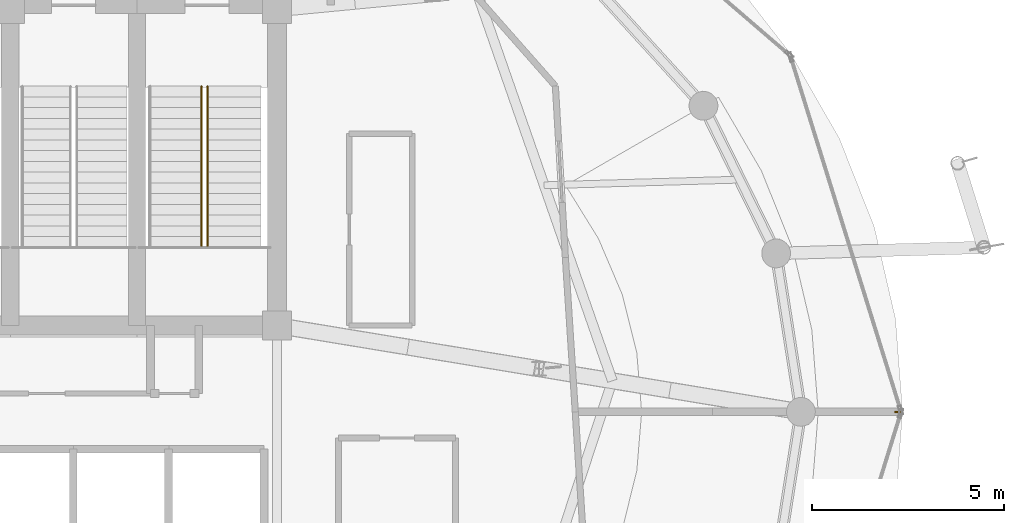
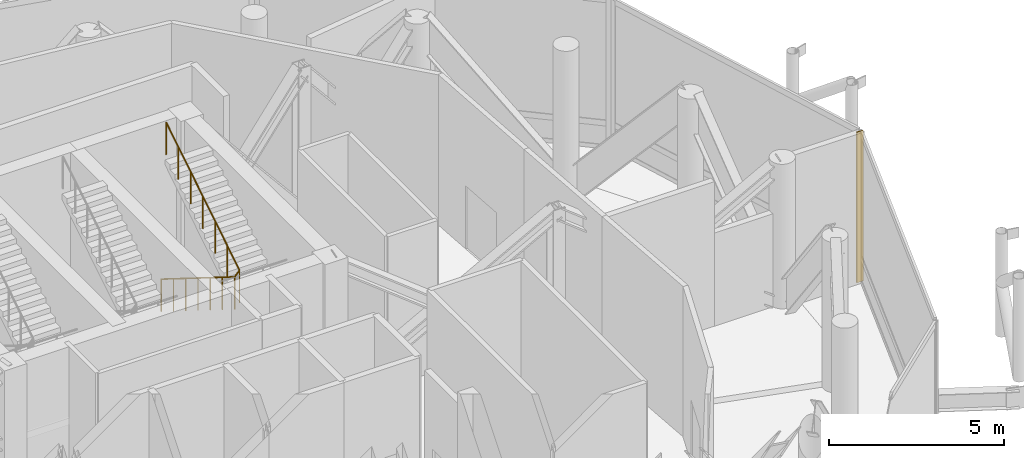
# One storey, part 26 of 26: 1 railing, 1 shading device.
"""IFC4 building model written with IfcOpenShell, lengths in metres."""

from ifc_helpers import new_model, si_unit, direction, frame, origin, origin_2d, place, context, subcontext, project, spatial, polyline, rectangle, outline, extrude, material, layer, layer_set, type_object, element, save


model = new_model("IFC4")

# Units and contexts
model_context = context("Model", 3, precision=1e-05, world=origin(), true_north=direction((0.0, 1.0)))
body_context = subcontext(model_context, "Body", "Model", "MODEL_VIEW")
ifc_project = project(units=[si_unit("LENGTHUNIT", "METRE"), si_unit("AREAUNIT", "SQUARE_METRE"), si_unit("VOLUMEUNIT", "CUBIC_METRE"), si_unit("PLANEANGLEUNIT", "RADIAN"), si_unit("MASSUNIT", "GRAM", prefix="KILO")], contexts=[model_context])

# Site, building, storey
site_placement = place(None, origin())
site = spatial("IfcSite", under=ifc_project, at=site_placement, CompositionType="ELEMENT")
building_placement = place(site_placement, origin())
building = spatial("IfcBuilding", under=site, at=building_placement, Name="Nuhasar Tower", CompositionType="ELEMENT")
storey_placement = place(building_placement, frame((0.0, 0.0, 301.199951171875)))
storey = spatial("IfcBuildingStorey", under=building, at=storey_placement, Name="L75", CompositionType="ELEMENT", Elevation=301.199951171875)

# Railing
ifc_material_1 = material(Name="Steel S355", Category="steel")
railing_type = type_object("IfcRailingType", Name="RLG-STAIR-GUARD-1150", PredefinedType="GUARDRAIL", material=ifc_material_1)
railing_placement = place(storey_placement, frame((42.330078125, 35.284912109375, 0.175048828125)))
element("IfcRailing", 1, at=railing_placement, inside=storey, type_object=railing_type, Name="L75 Stair ST-02 Guardrail SLT", PredefinedType="GUARDRAIL", context=body_context, shape_type="SweptSolid", body=[
    extrude(outline(polyline([(0.024169921875, 0.0), (0.01708984375, 0.01708984375), (0.0, 0.024169921875), (-0.01708984375, 0.01708984375), (-0.024169921875, 0.0), (-0.01708984375, -0.01708984375), (0.0, -0.024169921875), (0.01708984375, -0.01708984375), (0.024169921875, 0.0)])), frame((0.0, 0.0, 1.1259765625), z_axis=(0.0, -0.847995534698, 0.530003370869), x_axis=(1.0, 0.0, 0.0)), (0.0, 0.0, 1.0), 4.952880859375),
    extrude(outline(polyline([(0.024169921875, 0.0), (0.01708984375, 0.01708984375), (0.0, 0.024169921875), (-0.01708984375, 0.01708984375), (-0.024169921875, 0.0), (-0.01708984375, -0.01708984375), (0.0, -0.024169921875), (0.01708984375, -0.01708984375), (0.024169921875, 0.0)])), frame((0.0, -4.199951171875, 3.7509765625), z_axis=(0.674464668206, 0.0, 0.738307125349), x_axis=(0.0, 1.0, 0.0)), (0.0, 0.0, 1.0), 0.237060546875),
    extrude(outline(polyline([(0.024169921875, 0.0), (0.01708984375, 0.01708984375), (0.0, 0.024169921875), (-0.01708984375, 0.01708984375), (-0.024169921875, 0.0), (-0.01708984375, -0.01708984375), (0.0, -0.024169921875), (0.01708984375, -0.01708984375), (0.024169921875, 0.0)])), frame((0.159912109375, -4.199951171875, 3.92578125), z_axis=(0.0, 0.847995534698, 0.530003370869), x_axis=(-1.0, 0.0, 0.0)), (0.0, 0.0, 1.0), 4.952880859375),
    extrude(outline(polyline([(0.02099609375, 0.0), (0.014892578125, 0.014892578125), (0.0, 0.02099609375), (-0.014892578125, 0.014892578125), (-0.02099609375, 0.0), (-0.014892578125, -0.014892578125), (0.0, -0.02099609375), (0.014892578125, -0.014892578125), (0.02099609375, 0.0)])), origin(), (0.0, 0.0, 1.0), 1.101806640625),
    extrude(outline(polyline([(0.02099609375, 0.0), (0.014892578125, 0.014892578125), (0.0, 0.02099609375), (-0.014892578125, 0.014892578125), (-0.02099609375, 0.0), (-0.014892578125, -0.014892578125), (0.0, -0.02099609375), (0.014892578125, -0.014892578125), (0.02099609375, 0.0)])), frame((0.0, -0.699951171875, 0.4375)), (0.0, 0.0, 1.0), 1.101806640625),
    extrude(outline(polyline([(0.02099609375, 0.0), (0.014892578125, 0.014892578125), (0.0, 0.02099609375), (-0.014892578125, 0.014892578125), (-0.02099609375, 0.0), (-0.014892578125, -0.014892578125), (0.0, -0.02099609375), (0.014892578125, -0.014892578125), (0.02099609375, 0.0)])), frame((0.0, -1.39990234375, 0.875)), (0.0, 0.0, 1.0), 1.101806640625),
    extrude(outline(polyline([(0.02099609375, 0.0), (0.014892578125, 0.014892578125), (0.0, 0.02099609375), (-0.014892578125, 0.014892578125), (-0.02099609375, 0.0), (-0.014892578125, -0.014892578125), (0.0, -0.02099609375), (0.014892578125, -0.014892578125), (0.02099609375, 0.0)])), frame((0.0, -2.10009765625, 1.3125)), (0.0, 0.0, 1.0), 1.101806640625),
    extrude(outline(polyline([(0.02099609375, 0.0), (0.014892578125, 0.014892578125), (0.0, 0.02099609375), (-0.014892578125, 0.014892578125), (-0.02099609375, 0.0), (-0.014892578125, -0.014892578125), (0.0, -0.02099609375), (0.014892578125, -0.014892578125), (0.02099609375, 0.0)])), frame((0.0, -2.800048828125, 1.75)), (0.0, 0.0, 1.0), 1.101806640625),
    extrude(outline(polyline([(0.02099609375, 0.0), (0.014892578125, 0.014892578125), (0.0, 0.02099609375), (-0.014892578125, 0.014892578125), (-0.02099609375, 0.0), (-0.014892578125, -0.014892578125), (0.0, -0.02099609375), (0.014892578125, -0.014892578125), (0.02099609375, 0.0)])), frame((0.0, -3.5, 2.1875)), (0.0, 0.0, 1.0), 1.101806640625),
    extrude(outline(polyline([(0.02099609375, 0.0), (0.014892578125, 0.014892578125), (0.0, 0.02099609375), (-0.014892578125, 0.014892578125), (-0.02099609375, 0.0), (-0.014892578125, -0.014892578125), (0.0, -0.02099609375), (0.014892578125, -0.014892578125), (0.02099609375, 0.0)])), frame((0.0, -4.199951171875, 2.625)), (0.0, 0.0, 1.0), 1.101806640625),
    extrude(outline(polyline([(0.02099609375, 0.0), (0.014892578125, 0.014892578125), (0.0, 0.02099609375), (-0.014892578125, 0.014892578125), (-0.02099609375, 0.0), (-0.014892578125, -0.014892578125), (0.0, -0.02099609375), (0.014892578125, -0.014892578125), (0.02099609375, 0.0)])), frame((0.159912109375, -4.199951171875, 2.800048828125)), (0.0, 0.0, 1.0), 1.101806640625),
    extrude(outline(polyline([(0.02099609375, 0.0), (0.014892578125, 0.014892578125), (0.0, 0.02099609375), (-0.014892578125, 0.014892578125), (-0.02099609375, 0.0), (-0.014892578125, -0.014892578125), (0.0, -0.02099609375), (0.014892578125, -0.014892578125), (0.02099609375, 0.0)])), frame((0.159912109375, -3.5, 3.237548828125)), (0.0, 0.0, 1.0), 1.101806640625),
    extrude(outline(polyline([(0.02099609375, 0.0), (0.014892578125, 0.014892578125), (0.0, 0.02099609375), (-0.014892578125, 0.014892578125), (-0.02099609375, 0.0), (-0.014892578125, -0.014892578125), (0.0, -0.02099609375), (0.014892578125, -0.014892578125), (0.02099609375, 0.0)])), frame((0.159912109375, -2.800048828125, 3.675048828125)), (0.0, 0.0, 1.0), 1.101806640625),
    extrude(outline(polyline([(0.02099609375, 0.0), (0.014892578125, 0.014892578125), (0.0, 0.02099609375), (-0.014892578125, 0.014892578125), (-0.02099609375, 0.0), (-0.014892578125, -0.014892578125), (0.0, -0.02099609375), (0.014892578125, -0.014892578125), (0.02099609375, 0.0)])), frame((0.159912109375, -2.10009765625, 4.112548828125)), (0.0, 0.0, 1.0), 1.101806640625),
    extrude(outline(polyline([(0.02099609375, 0.0), (0.014892578125, 0.014892578125), (0.0, 0.02099609375), (-0.014892578125, 0.014892578125), (-0.02099609375, 0.0), (-0.014892578125, -0.014892578125), (0.0, -0.02099609375), (0.014892578125, -0.014892578125), (0.02099609375, 0.0)])), frame((0.159912109375, -1.39990234375, 4.550048828125)), (0.0, 0.0, 1.0), 1.101806640625),
    extrude(outline(polyline([(0.02099609375, 0.0), (0.014892578125, 0.014892578125), (0.0, 0.02099609375), (-0.014892578125, 0.014892578125), (-0.02099609375, 0.0), (-0.014892578125, -0.014892578125), (0.0, -0.02099609375), (0.014892578125, -0.014892578125), (0.02099609375, 0.0)])), frame((0.159912109375, -0.699951171875, 4.987548828125)), (0.0, 0.0, 1.0), 1.101806640625),
    extrude(outline(polyline([(0.02099609375, 0.0), (0.014892578125, 0.014892578125), (0.0, 0.02099609375), (-0.014892578125, 0.014892578125), (-0.02099609375, 0.0), (-0.014892578125, -0.014892578125), (0.0, -0.02099609375), (0.014892578125, -0.014892578125), (0.02099609375, 0.0)])), frame((0.159912109375, 0.0, 5.425048828125)), (0.0, 0.0, 1.0), 1.101806640625),
])

# Shading device
ifc_material_2 = material(Name="Aluminium 6063-T6", Category="aluminium")
ifc_layer = layer(ifc_material_2, 0.0400390625)
ifc_layer_set = layer_set([ifc_layer], Name="Aluminium 6063-T6")
shading_device_type = type_object("IfcShadingDeviceType", Name="SHD-LVR-220", PredefinedType="SHUTTER", material=ifc_layer_set)
shading_device_placement = place(storey_placement, frame((60.510009765625, 26.800048828125, 0.0), z_axis=(0.0, 0.0, 1.0), x_axis=(1.0, 0.0, 0.0)))
element("IfcShadingDevice", 2, at=shading_device_placement, inside=storey, type_object=shading_device_type, Name="L75 Plant Intake Louvre 01", PredefinedType="SHUTTER", context=body_context, shape_type="SweptSolid", body=[
    extrude(rectangle(XDim=0.219970703125, YDim=0.0400390625, at=origin_2d()), origin(), (0.0, 0.0, 1.0), 5.25),
])

save(model, "model.ifc")
